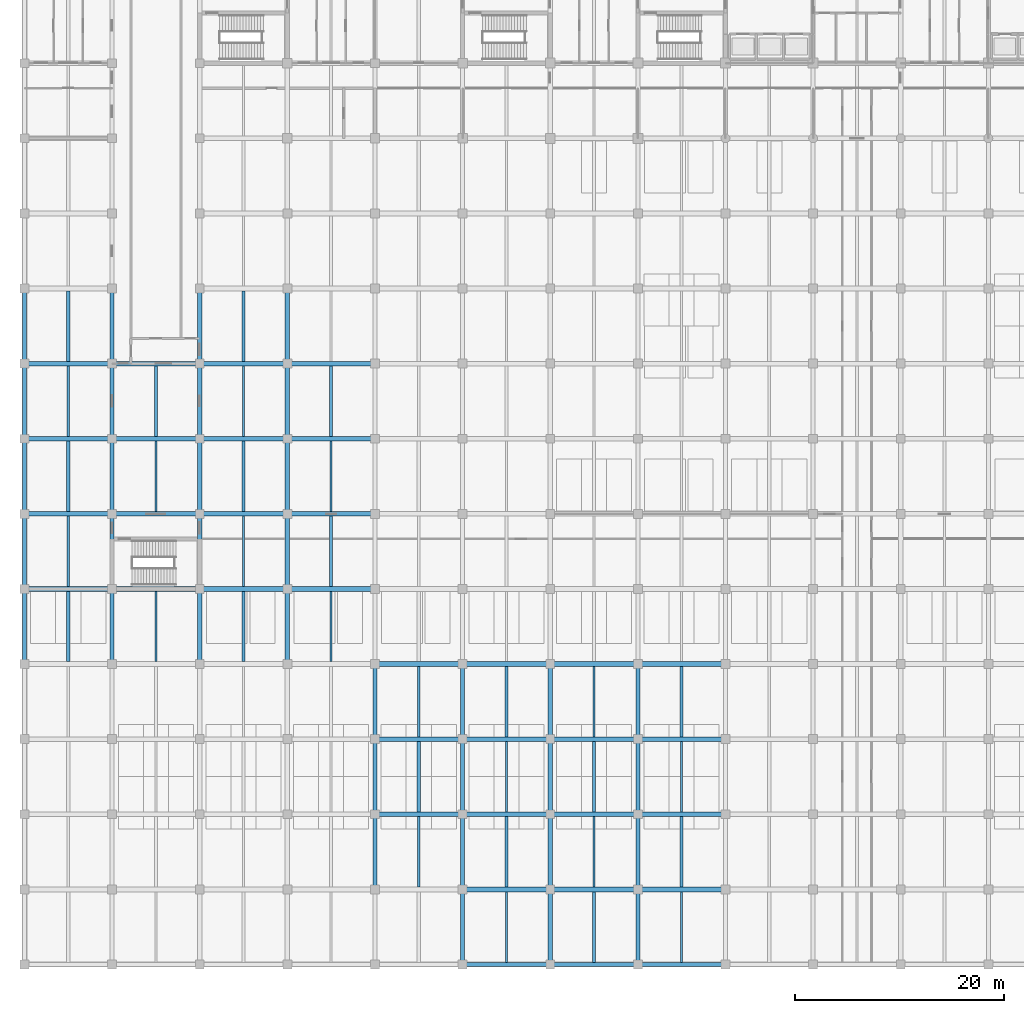
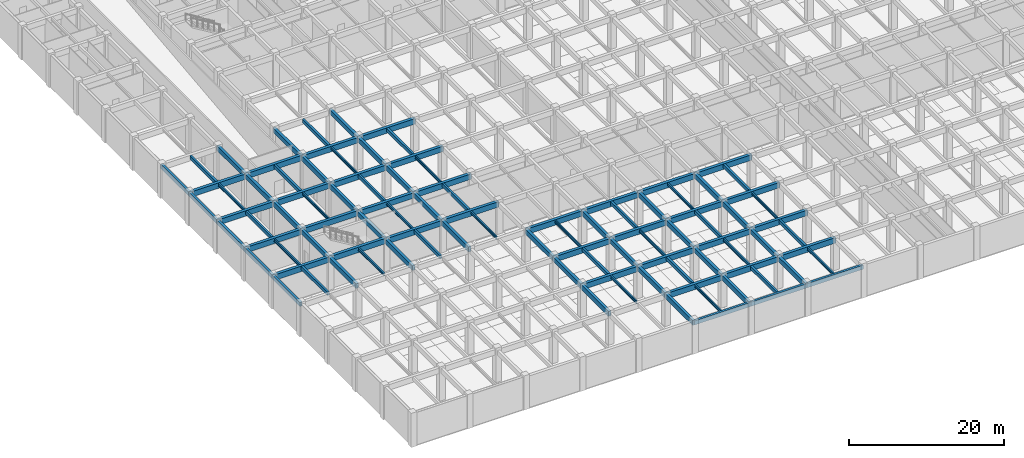
# One storey, part 3 of 48: 101 beams.
"""IFC4 building model written with IfcOpenShell, lengths in metres."""

from ifc_helpers import new_model, si_unit, direction, frame, origin, origin_2d, place, context, subcontext, project, spatial, rectangle, i_section, extrude, material, material_profile, profile_set, type_object, element, save


model = new_model("IFC4")

# Units and contexts
model_context = context("Model", 3, precision=1e-05, world=origin(), true_north=direction((0.0, 1.0)))
body_context = subcontext(model_context, "Body", "Model", "MODEL_VIEW")
ifc_project = project(units=[si_unit("LENGTHUNIT", "METRE"), si_unit("AREAUNIT", "SQUARE_METRE"), si_unit("VOLUMEUNIT", "CUBIC_METRE"), si_unit("PLANEANGLEUNIT", "RADIAN"), si_unit("MASSUNIT", "GRAM", prefix="KILO")], contexts=[model_context])

# Site, building, storey
site_placement = place(None, origin())
site = spatial("IfcSite", under=ifc_project, at=site_placement, CompositionType="ELEMENT")
building_placement = place(site_placement, origin())
building = spatial("IfcBuilding", under=site, at=building_placement, Name="Chengyuan Square Courthouse", CompositionType="ELEMENT")
storey_placement = place(building_placement, frame((0.0, 0.0, -5.39990234375)))
storey = spatial("IfcBuildingStorey", under=building, at=storey_placement, Name="B01", CompositionType="ELEMENT", Elevation=-5.39990234375)

# Beams
ifc_material_1 = material(Name="Concrete C40", Category="concrete")
ifc_material_profile_1 = material_profile(ifc_material_1, rectangle(XDim=0.449951171875, YDim=0.85009765625, at=origin_2d()), Name="RC-BM-450x850")
ifc_profile_set_1 = profile_set([ifc_material_profile_1], Name="Concrete C40")
beam_type_1 = type_object("IfcBeamType", Name="BM-01", PredefinedType="USERDEFINED", material=ifc_profile_set_1)
beam_1_placement = place(storey_placement, frame((42.0, 7.199951171875, 4.554931640625), z_axis=(1.0, 0.0, 0.0), x_axis=(0.0, 1.0, 0.0)))
element("IfcBeam", 1, at=beam_1_placement, inside=storey, type_object=beam_type_1, Name="Girder BM-B01-0697", ObjectType="GIRDER", PredefinedType="USERDEFINED", context=body_context, shape_type="SweptSolid", body=[
    extrude(rectangle(XDim=0.449951171875, YDim=0.85009765625, at=origin_2d()), origin(), (0.0, 0.0, 1.0), 8.39990234375),
])
beam_2_placement = place(storey_placement, frame((50.39990234375, 7.199951171875, 4.554931640625), z_axis=(1.0, 0.0, 0.0), x_axis=(0.0, 1.0, 0.0)))
element("IfcBeam", 2, at=beam_2_placement, inside=storey, type_object=beam_type_1, Name="Girder BM-B01-0698", ObjectType="GIRDER", PredefinedType="USERDEFINED", context=body_context, shape_type="SweptSolid", body=[
    extrude(rectangle(XDim=0.449951171875, YDim=0.85009765625, at=origin_2d()), origin(), (0.0, 0.0, 1.0), 8.400146484375),
])
for number, where, z_axis, x_axis, name in (
    (3, (58.800048828125, 7.199951171875, 4.554931640625), (1.0, 0.0, 0.0), (0.0, 1.0, 0.0), "Girder BM-B01-0699"),
    (4, (33.60009765625, 14.39990234375, 4.554931640625), (1.0, 0.0, 0.0), (0.0, 1.0, 0.0), "Girder BM-B01-0716"),
    (5, (42.0, 14.39990234375, 4.554931640625), (1.0, 0.0, 0.0), (0.0, 1.0, 0.0), "Girder BM-B01-0717"),
):
    element("IfcBeam", number, at=place(storey_placement, frame(where, z_axis=z_axis, x_axis=x_axis)), inside=storey, type_object=beam_type_1, Name=name, ObjectType="GIRDER", PredefinedType="USERDEFINED", context=body_context, shape_type="SweptSolid", body=[
        extrude(rectangle(XDim=0.449951171875, YDim=0.85009765625, at=origin_2d()), origin(), (0.0, 0.0, 1.0), 8.39990234375),
    ])
beam_3_placement = place(storey_placement, frame((50.39990234375, 14.39990234375, 4.554931640625), z_axis=(1.0, 0.0, 0.0), x_axis=(0.0, 1.0, 0.0)))
element("IfcBeam", 6, at=beam_3_placement, inside=storey, type_object=beam_type_1, Name="Girder BM-B01-0718", ObjectType="GIRDER", PredefinedType="USERDEFINED", context=body_context, shape_type="SweptSolid", body=[
    extrude(rectangle(XDim=0.449951171875, YDim=0.85009765625, at=origin_2d()), origin(), (0.0, 0.0, 1.0), 8.400146484375),
])
for number, where, z_axis, x_axis, name in (
    (7, (58.800048828125, 14.39990234375, 4.554931640625), (1.0, 0.0, 0.0), (0.0, 1.0, 0.0), "Girder BM-B01-0719"),
    (8, (33.60009765625, 21.60009765625, 4.554931640625), (1.0, 0.0, 0.0), (0.0, 1.0, 0.0), "Girder BM-B01-0736"),
    (9, (42.0, 21.60009765625, 4.554931640625), (1.0, 0.0, 0.0), (0.0, 1.0, 0.0), "Girder BM-B01-0737"),
):
    element("IfcBeam", number, at=place(storey_placement, frame(where, z_axis=z_axis, x_axis=x_axis)), inside=storey, type_object=beam_type_1, Name=name, ObjectType="GIRDER", PredefinedType="USERDEFINED", context=body_context, shape_type="SweptSolid", body=[
        extrude(rectangle(XDim=0.449951171875, YDim=0.85009765625, at=origin_2d()), origin(), (0.0, 0.0, 1.0), 8.39990234375),
    ])
beam_4_placement = place(storey_placement, frame((50.39990234375, 21.60009765625, 4.554931640625), z_axis=(1.0, 0.0, 0.0), x_axis=(0.0, 1.0, 0.0)))
element("IfcBeam", 10, at=beam_4_placement, inside=storey, type_object=beam_type_1, Name="Girder BM-B01-0738", ObjectType="GIRDER", PredefinedType="USERDEFINED", context=body_context, shape_type="SweptSolid", body=[
    extrude(rectangle(XDim=0.449951171875, YDim=0.85009765625, at=origin_2d()), origin(), (0.0, 0.0, 1.0), 8.400146484375),
])
for number, where, z_axis, x_axis, name in (
    (11, (58.800048828125, 21.60009765625, 4.554931640625), (1.0, 0.0, 0.0), (0.0, 1.0, 0.0), "Girder BM-B01-0739"),
    (12, (33.60009765625, 28.800048828125, 4.554931640625), (1.0, 0.0, 0.0), (0.0, 1.0, 0.0), "Girder BM-B01-0756"),
    (13, (42.0, 28.800048828125, 4.554931640625), (1.0, 0.0, 0.0), (0.0, 1.0, 0.0), "Girder BM-B01-0757"),
):
    element("IfcBeam", number, at=place(storey_placement, frame(where, z_axis=z_axis, x_axis=x_axis)), inside=storey, type_object=beam_type_1, Name=name, ObjectType="GIRDER", PredefinedType="USERDEFINED", context=body_context, shape_type="SweptSolid", body=[
        extrude(rectangle(XDim=0.449951171875, YDim=0.85009765625, at=origin_2d()), origin(), (0.0, 0.0, 1.0), 8.39990234375),
    ])
beam_5_placement = place(storey_placement, frame((50.39990234375, 28.800048828125, 4.554931640625), z_axis=(1.0, 0.0, 0.0), x_axis=(0.0, 1.0, 0.0)))
element("IfcBeam", 14, at=beam_5_placement, inside=storey, type_object=beam_type_1, Name="Girder BM-B01-0758", ObjectType="GIRDER", PredefinedType="USERDEFINED", context=body_context, shape_type="SweptSolid", body=[
    extrude(rectangle(XDim=0.449951171875, YDim=0.85009765625, at=origin_2d()), origin(), (0.0, 0.0, 1.0), 8.400146484375),
])
for number, where, z_axis, x_axis, name in (
    (15, (58.800048828125, 28.800048828125, 4.554931640625), (1.0, 0.0, 0.0), (0.0, 1.0, 0.0), "Girder BM-B01-0759"),
    (16, (0.0, 36.0, 4.6748046875), (1.0, 0.0, 0.0), (0.0, 1.0, 0.0), "Girder BM-B01-0772"),
):
    element("IfcBeam", number, at=place(storey_placement, frame(where, z_axis=z_axis, x_axis=x_axis)), inside=storey, type_object=beam_type_1, Name=name, ObjectType="GIRDER", PredefinedType="USERDEFINED", context=body_context, shape_type="SweptSolid", body=[
        extrude(rectangle(XDim=0.449951171875, YDim=0.85009765625, at=origin_2d()), origin(), (0.0, 0.0, 1.0), 8.39990234375),
    ])
beam_6_placement = place(storey_placement, frame((8.39990234375, 36.0, 4.6748046875), z_axis=(1.0, 0.0, 0.0), x_axis=(0.0, 1.0, 0.0)))
element("IfcBeam", 17, at=beam_6_placement, inside=storey, type_object=beam_type_1, Name="Girder BM-B01-0773", ObjectType="GIRDER", PredefinedType="USERDEFINED", context=body_context, shape_type="SweptSolid", body=[
    extrude(rectangle(XDim=0.449951171875, YDim=0.85009765625, at=origin_2d()), origin(), (0.0, 0.0, 1.0), 8.400146484375),
])
beam_7_placement = place(storey_placement, frame((16.800048828125, 36.0, 4.554931640625), z_axis=(1.0, 0.0, 0.0), x_axis=(0.0, 1.0, 0.0)))
element("IfcBeam", 18, at=beam_7_placement, inside=storey, type_object=beam_type_1, Name="Girder BM-B01-0774", ObjectType="GIRDER", PredefinedType="USERDEFINED", context=body_context, shape_type="SweptSolid", body=[
    extrude(rectangle(XDim=0.449951171875, YDim=0.85009765625, at=origin_2d()), origin(), (0.0, 0.0, 1.0), 8.39990234375),
])
beam_8_placement = place(storey_placement, frame((25.199951171875, 36.0, 4.554931640625), z_axis=(1.0, 0.0, 0.0), x_axis=(0.0, 1.0, 0.0)))
element("IfcBeam", 19, at=beam_8_placement, inside=storey, type_object=beam_type_1, Name="Girder BM-B01-0775", ObjectType="GIRDER", PredefinedType="USERDEFINED", context=body_context, shape_type="SweptSolid", body=[
    extrude(rectangle(XDim=0.449951171875, YDim=0.85009765625, at=origin_2d()), origin(), (0.0, 0.0, 1.0), 8.400146484375),
])
beam_9_placement = place(storey_placement, frame((0.0, 43.199951171875, 4.6748046875), z_axis=(1.0, 0.0, 0.0), x_axis=(0.0, 1.0, 0.0)))
element("IfcBeam", 20, at=beam_9_placement, inside=storey, type_object=beam_type_1, Name="Girder BM-B01-0792", ObjectType="GIRDER", PredefinedType="USERDEFINED", context=body_context, shape_type="SweptSolid", body=[
    extrude(rectangle(XDim=0.449951171875, YDim=0.85009765625, at=origin_2d()), origin(), (0.0, 0.0, 1.0), 8.39990234375),
])
beam_10_placement = place(storey_placement, frame((8.39990234375, 43.199951171875, 4.6748046875), z_axis=(1.0, 0.0, 0.0), x_axis=(0.0, 1.0, 0.0)))
element("IfcBeam", 21, at=beam_10_placement, inside=storey, type_object=beam_type_1, Name="Girder BM-B01-0793", ObjectType="GIRDER", PredefinedType="USERDEFINED", context=body_context, shape_type="SweptSolid", body=[
    extrude(rectangle(XDim=0.449951171875, YDim=0.85009765625, at=origin_2d()), origin(), (0.0, 0.0, 1.0), 8.400146484375),
])
beam_11_placement = place(storey_placement, frame((16.800048828125, 43.199951171875, 4.554931640625), z_axis=(1.0, 0.0, 0.0), x_axis=(0.0, 1.0, 0.0)))
element("IfcBeam", 22, at=beam_11_placement, inside=storey, type_object=beam_type_1, Name="Girder BM-B01-0794", ObjectType="GIRDER", PredefinedType="USERDEFINED", context=body_context, shape_type="SweptSolid", body=[
    extrude(rectangle(XDim=0.449951171875, YDim=0.85009765625, at=origin_2d()), origin(), (0.0, 0.0, 1.0), 8.39990234375),
])
beam_12_placement = place(storey_placement, frame((25.199951171875, 43.199951171875, 4.554931640625), z_axis=(1.0, 0.0, 0.0), x_axis=(0.0, 1.0, 0.0)))
element("IfcBeam", 23, at=beam_12_placement, inside=storey, type_object=beam_type_1, Name="Girder BM-B01-0795", ObjectType="GIRDER", PredefinedType="USERDEFINED", context=body_context, shape_type="SweptSolid", body=[
    extrude(rectangle(XDim=0.449951171875, YDim=0.85009765625, at=origin_2d()), origin(), (0.0, 0.0, 1.0), 8.400146484375),
])
beam_13_placement = place(storey_placement, frame((0.0, 50.39990234375, 4.6748046875), z_axis=(1.0, 0.0, 0.0), x_axis=(0.0, 1.0, 0.0)))
element("IfcBeam", 24, at=beam_13_placement, inside=storey, type_object=beam_type_1, Name="Girder BM-B01-0812", ObjectType="GIRDER", PredefinedType="USERDEFINED", context=body_context, shape_type="SweptSolid", body=[
    extrude(rectangle(XDim=0.449951171875, YDim=0.85009765625, at=origin_2d()), origin(), (0.0, 0.0, 1.0), 8.39990234375),
])
beam_14_placement = place(storey_placement, frame((8.39990234375, 50.39990234375, 4.6748046875), z_axis=(1.0, 0.0, 0.0), x_axis=(0.0, 1.0, 0.0)))
element("IfcBeam", 25, at=beam_14_placement, inside=storey, type_object=beam_type_1, Name="Girder BM-B01-0813", ObjectType="GIRDER", PredefinedType="USERDEFINED", context=body_context, shape_type="SweptSolid", body=[
    extrude(rectangle(XDim=0.449951171875, YDim=0.85009765625, at=origin_2d()), origin(), (0.0, 0.0, 1.0), 8.400146484375),
])
beam_15_placement = place(storey_placement, frame((16.800048828125, 50.39990234375, 4.554931640625), z_axis=(1.0, 0.0, 0.0), x_axis=(0.0, 1.0, 0.0)))
element("IfcBeam", 26, at=beam_15_placement, inside=storey, type_object=beam_type_1, Name="Girder BM-B01-0814", ObjectType="GIRDER", PredefinedType="USERDEFINED", context=body_context, shape_type="SweptSolid", body=[
    extrude(rectangle(XDim=0.449951171875, YDim=0.85009765625, at=origin_2d()), origin(), (0.0, 0.0, 1.0), 8.39990234375),
])
beam_16_placement = place(storey_placement, frame((25.199951171875, 50.39990234375, 4.554931640625), z_axis=(1.0, 0.0, 0.0), x_axis=(0.0, 1.0, 0.0)))
element("IfcBeam", 27, at=beam_16_placement, inside=storey, type_object=beam_type_1, Name="Girder BM-B01-0815", ObjectType="GIRDER", PredefinedType="USERDEFINED", context=body_context, shape_type="SweptSolid", body=[
    extrude(rectangle(XDim=0.449951171875, YDim=0.85009765625, at=origin_2d()), origin(), (0.0, 0.0, 1.0), 8.400146484375),
])
beam_17_placement = place(storey_placement, frame((0.0, 57.60009765625, 4.6748046875), z_axis=(1.0, 0.0, 0.0), x_axis=(0.0, 1.0, 0.0)))
element("IfcBeam", 28, at=beam_17_placement, inside=storey, type_object=beam_type_1, Name="Girder BM-B01-0832", ObjectType="GIRDER", PredefinedType="USERDEFINED", context=body_context, shape_type="SweptSolid", body=[
    extrude(rectangle(XDim=0.449951171875, YDim=0.85009765625, at=origin_2d()), origin(), (0.0, 0.0, 1.0), 8.39990234375),
])
beam_18_placement = place(storey_placement, frame((8.39990234375, 57.60009765625, 4.6748046875), z_axis=(1.0, 0.0, 0.0), x_axis=(0.0, 1.0, 0.0)))
element("IfcBeam", 29, at=beam_18_placement, inside=storey, type_object=beam_type_1, Name="Girder BM-B01-0833", ObjectType="GIRDER", PredefinedType="USERDEFINED", context=body_context, shape_type="SweptSolid", body=[
    extrude(rectangle(XDim=0.449951171875, YDim=0.85009765625, at=origin_2d()), origin(), (0.0, 0.0, 1.0), 8.400146484375),
])
beam_19_placement = place(storey_placement, frame((16.800048828125, 57.60009765625, 4.554931640625), z_axis=(1.0, 0.0, 0.0), x_axis=(0.0, 1.0, 0.0)))
element("IfcBeam", 30, at=beam_19_placement, inside=storey, type_object=beam_type_1, Name="Girder BM-B01-0834", ObjectType="GIRDER", PredefinedType="USERDEFINED", context=body_context, shape_type="SweptSolid", body=[
    extrude(rectangle(XDim=0.449951171875, YDim=0.85009765625, at=origin_2d()), origin(), (0.0, 0.0, 1.0), 8.39990234375),
])
beam_20_placement = place(storey_placement, frame((25.199951171875, 57.60009765625, 4.554931640625), z_axis=(1.0, 0.0, 0.0), x_axis=(0.0, 1.0, 0.0)))
element("IfcBeam", 31, at=beam_20_placement, inside=storey, type_object=beam_type_1, Name="Girder BM-B01-0835", ObjectType="GIRDER", PredefinedType="USERDEFINED", context=body_context, shape_type="SweptSolid", body=[
    extrude(rectangle(XDim=0.449951171875, YDim=0.85009765625, at=origin_2d()), origin(), (0.0, 0.0, 1.0), 8.400146484375),
])
ifc_material_profile_2 = material_profile(ifc_material_1, rectangle(XDim=0.39990234375, YDim=0.75, at=origin_2d()), Name="RC-BM-400x750")
ifc_profile_set_2 = profile_set([ifc_material_profile_2], Name="Concrete C40")
beam_type_2 = type_object("IfcBeamType", Name="BM-02", PredefinedType="USERDEFINED", material=ifc_profile_set_2)
for number, where, z_axis, x_axis, name in (
    (32, (8.39990234375, 28.800048828125, 4.724853515625), (0.0, 1.0, 0.0), (-1.0, 0.0, 0.0), "Girder BM-B01-1026"),
    (33, (8.39990234375, 36.0, 4.724853515625), (0.0, 1.0, 0.0), (-1.0, 0.0, 0.0), "Girder BM-B01-1027"),
    (34, (8.39990234375, 43.199951171875, 4.724853515625), (0.0, 1.0, 0.0), (-1.0, 0.0, 0.0), "Girder BM-B01-1028"),
):
    element("IfcBeam", number, at=place(storey_placement, frame(where, z_axis=z_axis, x_axis=x_axis)), inside=storey, type_object=beam_type_2, Name=name, ObjectType="GIRDER", PredefinedType="USERDEFINED", context=body_context, shape_type="SweptSolid", body=[
        extrude(rectangle(XDim=0.39990234375, YDim=0.75, at=origin_2d()), origin(), (0.0, 0.0, 1.0), 7.199951171875),
    ])
beam_21_placement = place(storey_placement, frame((8.39990234375, 50.39990234375, 4.724853515625), z_axis=(0.0, 1.0, 0.0), x_axis=(-1.0, 0.0, 0.0)))
element("IfcBeam", 35, at=beam_21_placement, inside=storey, type_object=beam_type_2, Name="Girder BM-B01-1029", ObjectType="GIRDER", PredefinedType="USERDEFINED", context=body_context, shape_type="SweptSolid", body=[
    extrude(rectangle(XDim=0.39990234375, YDim=0.75, at=origin_2d()), origin(), (0.0, 0.0, 1.0), 7.2001953125),
])
for number, where, z_axis, x_axis, name in (
    (36, (8.39990234375, 57.60009765625, 4.724853515625), (0.0, 1.0, 0.0), (-1.0, 0.0, 0.0), "Girder BM-B01-1030"),
    (37, (16.800048828125, 28.800048828125, 4.60498046875), (0.0, 1.0, 0.0), (-1.0, 0.0, 0.0), "Girder BM-B01-1042"),
    (38, (16.800048828125, 36.0, 4.60498046875), (0.0, 1.0, 0.0), (-1.0, 0.0, 0.0), "Girder BM-B01-1043"),
    (39, (16.800048828125, 43.199951171875, 4.60498046875), (0.0, 1.0, 0.0), (-1.0, 0.0, 0.0), "Girder BM-B01-1044"),
):
    element("IfcBeam", number, at=place(storey_placement, frame(where, z_axis=z_axis, x_axis=x_axis)), inside=storey, type_object=beam_type_2, Name=name, ObjectType="GIRDER", PredefinedType="USERDEFINED", context=body_context, shape_type="SweptSolid", body=[
        extrude(rectangle(XDim=0.39990234375, YDim=0.75, at=origin_2d()), origin(), (0.0, 0.0, 1.0), 7.199951171875),
    ])
beam_22_placement = place(storey_placement, frame((16.800048828125, 50.39990234375, 4.60498046875), z_axis=(0.0, 1.0, 0.0), x_axis=(-1.0, 0.0, 0.0)))
element("IfcBeam", 40, at=beam_22_placement, inside=storey, type_object=beam_type_2, Name="Girder BM-B01-1045", ObjectType="GIRDER", PredefinedType="USERDEFINED", context=body_context, shape_type="SweptSolid", body=[
    extrude(rectangle(XDim=0.39990234375, YDim=0.75, at=origin_2d()), origin(), (0.0, 0.0, 1.0), 7.2001953125),
])
for number, where, z_axis, x_axis, name in (
    (41, (16.800048828125, 57.60009765625, 4.60498046875), (0.0, 1.0, 0.0), (-1.0, 0.0, 0.0), "Girder BM-B01-1046"),
    (42, (25.199951171875, 28.800048828125, 4.60498046875), (0.0, 1.0, 0.0), (-1.0, 0.0, 0.0), "Girder BM-B01-1058"),
    (43, (25.199951171875, 36.0, 4.60498046875), (0.0, 1.0, 0.0), (-1.0, 0.0, 0.0), "Girder BM-B01-1059"),
    (44, (25.199951171875, 43.199951171875, 4.60498046875), (0.0, 1.0, 0.0), (-1.0, 0.0, 0.0), "Girder BM-B01-1060"),
):
    element("IfcBeam", number, at=place(storey_placement, frame(where, z_axis=z_axis, x_axis=x_axis)), inside=storey, type_object=beam_type_2, Name=name, ObjectType="GIRDER", PredefinedType="USERDEFINED", context=body_context, shape_type="SweptSolid", body=[
        extrude(rectangle(XDim=0.39990234375, YDim=0.75, at=origin_2d()), origin(), (0.0, 0.0, 1.0), 7.199951171875),
    ])
beam_23_placement = place(storey_placement, frame((25.199951171875, 50.39990234375, 4.60498046875), z_axis=(0.0, 1.0, 0.0), x_axis=(-1.0, 0.0, 0.0)))
element("IfcBeam", 45, at=beam_23_placement, inside=storey, type_object=beam_type_2, Name="Girder BM-B01-1061", ObjectType="GIRDER", PredefinedType="USERDEFINED", context=body_context, shape_type="SweptSolid", body=[
    extrude(rectangle(XDim=0.39990234375, YDim=0.75, at=origin_2d()), origin(), (0.0, 0.0, 1.0), 7.2001953125),
])
for number, where, z_axis, x_axis, name in (
    (46, (25.199951171875, 57.60009765625, 4.60498046875), (0.0, 1.0, 0.0), (-1.0, 0.0, 0.0), "Girder BM-B01-1062"),
    (47, (33.60009765625, 7.199951171875, 4.60498046875), (0.0, 1.0, 0.0), (-1.0, 0.0, 0.0), "Girder BM-B01-1071"),
):
    element("IfcBeam", number, at=place(storey_placement, frame(where, z_axis=z_axis, x_axis=x_axis)), inside=storey, type_object=beam_type_2, Name=name, ObjectType="GIRDER", PredefinedType="USERDEFINED", context=body_context, shape_type="SweptSolid", body=[
        extrude(rectangle(XDim=0.39990234375, YDim=0.75, at=origin_2d()), origin(), (0.0, 0.0, 1.0), 7.199951171875),
    ])
beam_24_placement = place(storey_placement, frame((33.60009765625, 14.39990234375, 4.60498046875), z_axis=(0.0, 1.0, 0.0), x_axis=(-1.0, 0.0, 0.0)))
element("IfcBeam", 48, at=beam_24_placement, inside=storey, type_object=beam_type_2, Name="Girder BM-B01-1072", ObjectType="GIRDER", PredefinedType="USERDEFINED", context=body_context, shape_type="SweptSolid", body=[
    extrude(rectangle(XDim=0.39990234375, YDim=0.75, at=origin_2d()), origin(), (0.0, 0.0, 1.0), 7.2001953125),
])
for number, where, z_axis, x_axis, name in (
    (49, (33.60009765625, 21.60009765625, 4.60498046875), (0.0, 1.0, 0.0), (-1.0, 0.0, 0.0), "Girder BM-B01-1073"),
    (50, (42.0, 0.0, 4.60498046875), (0.0, 1.0, 0.0), (-1.0, 0.0, 0.0), "Girder BM-B01-1086"),
    (51, (42.0, 7.199951171875, 4.60498046875), (0.0, 1.0, 0.0), (-1.0, 0.0, 0.0), "Girder BM-B01-1087"),
):
    element("IfcBeam", number, at=place(storey_placement, frame(where, z_axis=z_axis, x_axis=x_axis)), inside=storey, type_object=beam_type_2, Name=name, ObjectType="GIRDER", PredefinedType="USERDEFINED", context=body_context, shape_type="SweptSolid", body=[
        extrude(rectangle(XDim=0.39990234375, YDim=0.75, at=origin_2d()), origin(), (0.0, 0.0, 1.0), 7.199951171875),
    ])
beam_25_placement = place(storey_placement, frame((42.0, 14.39990234375, 4.60498046875), z_axis=(0.0, 1.0, 0.0), x_axis=(-1.0, 0.0, 0.0)))
element("IfcBeam", 52, at=beam_25_placement, inside=storey, type_object=beam_type_2, Name="Girder BM-B01-1088", ObjectType="GIRDER", PredefinedType="USERDEFINED", context=body_context, shape_type="SweptSolid", body=[
    extrude(rectangle(XDim=0.39990234375, YDim=0.75, at=origin_2d()), origin(), (0.0, 0.0, 1.0), 7.2001953125),
])
for number, where, z_axis, x_axis, name in (
    (53, (42.0, 21.60009765625, 4.60498046875), (0.0, 1.0, 0.0), (-1.0, 0.0, 0.0), "Girder BM-B01-1089"),
    (54, (50.39990234375, 0.0, 4.60498046875), (0.0, 1.0, 0.0), (-1.0, 0.0, 0.0), "Girder BM-B01-1102"),
    (55, (50.39990234375, 7.199951171875, 4.60498046875), (0.0, 1.0, 0.0), (-1.0, 0.0, 0.0), "Girder BM-B01-1103"),
):
    element("IfcBeam", number, at=place(storey_placement, frame(where, z_axis=z_axis, x_axis=x_axis)), inside=storey, type_object=beam_type_2, Name=name, ObjectType="GIRDER", PredefinedType="USERDEFINED", context=body_context, shape_type="SweptSolid", body=[
        extrude(rectangle(XDim=0.39990234375, YDim=0.75, at=origin_2d()), origin(), (0.0, 0.0, 1.0), 7.199951171875),
    ])
beam_26_placement = place(storey_placement, frame((50.39990234375, 14.39990234375, 4.60498046875), z_axis=(0.0, 1.0, 0.0), x_axis=(-1.0, 0.0, 0.0)))
element("IfcBeam", 56, at=beam_26_placement, inside=storey, type_object=beam_type_2, Name="Girder BM-B01-1104", ObjectType="GIRDER", PredefinedType="USERDEFINED", context=body_context, shape_type="SweptSolid", body=[
    extrude(rectangle(XDim=0.39990234375, YDim=0.75, at=origin_2d()), origin(), (0.0, 0.0, 1.0), 7.2001953125),
])
for number, where, z_axis, x_axis, name in (
    (57, (50.39990234375, 21.60009765625, 4.60498046875), (0.0, 1.0, 0.0), (-1.0, 0.0, 0.0), "Girder BM-B01-1105"),
    (58, (58.800048828125, 0.0, 4.60498046875), (0.0, 1.0, 0.0), (-1.0, 0.0, 0.0), "Girder BM-B01-1118"),
    (59, (58.800048828125, 7.199951171875, 4.60498046875), (0.0, 1.0, 0.0), (-1.0, 0.0, 0.0), "Girder BM-B01-1119"),
):
    element("IfcBeam", number, at=place(storey_placement, frame(where, z_axis=z_axis, x_axis=x_axis)), inside=storey, type_object=beam_type_2, Name=name, ObjectType="GIRDER", PredefinedType="USERDEFINED", context=body_context, shape_type="SweptSolid", body=[
        extrude(rectangle(XDim=0.39990234375, YDim=0.75, at=origin_2d()), origin(), (0.0, 0.0, 1.0), 7.199951171875),
    ])
beam_27_placement = place(storey_placement, frame((58.800048828125, 14.39990234375, 4.60498046875), z_axis=(0.0, 1.0, 0.0), x_axis=(-1.0, 0.0, 0.0)))
element("IfcBeam", 60, at=beam_27_placement, inside=storey, type_object=beam_type_2, Name="Girder BM-B01-1120", ObjectType="GIRDER", PredefinedType="USERDEFINED", context=body_context, shape_type="SweptSolid", body=[
    extrude(rectangle(XDim=0.39990234375, YDim=0.75, at=origin_2d()), origin(), (0.0, 0.0, 1.0), 7.2001953125),
])
beam_28_placement = place(storey_placement, frame((58.800048828125, 21.60009765625, 4.60498046875), z_axis=(0.0, 1.0, 0.0), x_axis=(-1.0, 0.0, 0.0)))
element("IfcBeam", 61, at=beam_28_placement, inside=storey, type_object=beam_type_2, Name="Girder BM-B01-1121", ObjectType="GIRDER", PredefinedType="USERDEFINED", context=body_context, shape_type="SweptSolid", body=[
    extrude(rectangle(XDim=0.39990234375, YDim=0.75, at=origin_2d()), origin(), (0.0, 0.0, 1.0), 7.199951171875),
])
ifc_material_profile_3 = material_profile(ifc_material_1, rectangle(XDim=0.35009765625, YDim=0.64990234375, at=origin_2d()), Name="RC-BM-350x650")
ifc_profile_set_3 = profile_set([ifc_material_profile_3], Name="Concrete C40")
beam_type_3 = type_object("IfcBeamType", Name="BM-03", PredefinedType="SPANDREL", material=ifc_profile_set_3)
beam_29_placement = place(storey_placement, frame((42.0, 0.0, 4.65478515625), z_axis=(1.0, 0.0, 0.0), x_axis=(0.0, 1.0, 0.0)))
element("IfcBeam", 62, at=beam_29_placement, inside=storey, type_object=beam_type_3, Name="Girder BM-B01-0677", PredefinedType="SPANDREL", context=body_context, shape_type="SweptSolid", body=[
    extrude(rectangle(XDim=0.35009765625, YDim=0.64990234375, at=origin_2d()), origin(), (0.0, 0.0, 1.0), 8.39990234375),
])
beam_30_placement = place(storey_placement, frame((50.39990234375, 0.0, 4.65478515625), z_axis=(1.0, 0.0, 0.0), x_axis=(0.0, 1.0, 0.0)))
element("IfcBeam", 63, at=beam_30_placement, inside=storey, type_object=beam_type_3, Name="Girder BM-B01-0678", PredefinedType="SPANDREL", context=body_context, shape_type="SweptSolid", body=[
    extrude(rectangle(XDim=0.35009765625, YDim=0.64990234375, at=origin_2d()), origin(), (0.0, 0.0, 1.0), 8.400146484375),
])
beam_31_placement = place(storey_placement, frame((58.800048828125, 0.0, 4.65478515625), z_axis=(1.0, 0.0, 0.0), x_axis=(0.0, 1.0, 0.0)))
element("IfcBeam", 64, at=beam_31_placement, inside=storey, type_object=beam_type_3, Name="Girder BM-B01-0679", PredefinedType="SPANDREL", context=body_context, shape_type="SweptSolid", body=[
    extrude(rectangle(XDim=0.35009765625, YDim=0.64990234375, at=origin_2d()), origin(), (0.0, 0.0, 1.0), 8.39990234375),
])
for number, where, z_axis, x_axis, name in (
    (65, (0.0, 28.800048828125, 4.77490234375), (0.0, 1.0, 0.0), (-1.0, 0.0, 0.0), "Girder BM-B01-1010"),
    (66, (0.0, 36.0, 4.77490234375), (0.0, 1.0, 0.0), (-1.0, 0.0, 0.0), "Girder BM-B01-1011"),
    (67, (0.0, 43.199951171875, 4.77490234375), (0.0, 1.0, 0.0), (-1.0, 0.0, 0.0), "Girder BM-B01-1012"),
):
    element("IfcBeam", number, at=place(storey_placement, frame(where, z_axis=z_axis, x_axis=x_axis)), inside=storey, type_object=beam_type_3, Name=name, PredefinedType="SPANDREL", context=body_context, shape_type="SweptSolid", body=[
        extrude(rectangle(XDim=0.35009765625, YDim=0.64990234375, at=origin_2d()), origin(), (0.0, 0.0, 1.0), 7.199951171875),
    ])
beam_32_placement = place(storey_placement, frame((0.0, 50.39990234375, 4.77490234375), z_axis=(0.0, 1.0, 0.0), x_axis=(-1.0, 0.0, 0.0)))
element("IfcBeam", 68, at=beam_32_placement, inside=storey, type_object=beam_type_3, Name="Girder BM-B01-1013", PredefinedType="SPANDREL", context=body_context, shape_type="SweptSolid", body=[
    extrude(rectangle(XDim=0.35009765625, YDim=0.64990234375, at=origin_2d()), origin(), (0.0, 0.0, 1.0), 7.2001953125),
])
beam_33_placement = place(storey_placement, frame((0.0, 57.60009765625, 4.77490234375), z_axis=(0.0, 1.0, 0.0), x_axis=(-1.0, 0.0, 0.0)))
element("IfcBeam", 69, at=beam_33_placement, inside=storey, type_object=beam_type_3, Name="Girder BM-B01-1014", PredefinedType="SPANDREL", context=body_context, shape_type="SweptSolid", body=[
    extrude(rectangle(XDim=0.35009765625, YDim=0.64990234375, at=origin_2d()), origin(), (0.0, 0.0, 1.0), 7.199951171875),
])
ifc_material_profile_4 = material_profile(ifc_material_1, rectangle(XDim=0.300048828125, YDim=0.550048828125, at=origin_2d()), Name="RC-BM-300x550")
ifc_profile_set_4 = profile_set([ifc_material_profile_4], Name="Concrete C40")
beam_type_4 = type_object("IfcBeamType", Name="BM-04", PredefinedType="BEAM", material=ifc_profile_set_4)
for number, where, z_axis, x_axis, name in (
    (70, (4.199951171875, 29.02490234375, 4.824951171875), (0.0, 1.0, 0.0), (-1.0, 0.0, 0.0), "Secondary Floor Beam SBM-B01-1346"),
    (71, (4.199951171875, 43.425048828125, 4.824951171875), (0.0, 1.0, 0.0), (-1.0, 0.0, 0.0), "Secondary Floor Beam SBM-B01-1348"),
    (72, (4.199951171875, 57.824951171875, 4.824951171875), (0.0, 1.0, 0.0), (-1.0, 0.0, 0.0), "Secondary Floor Beam SBM-B01-1350"),
    (73, (12.60009765625, 50.625, 4.824951171875), (0.0, 1.0, 0.0), (-1.0, 0.0, 0.0), "Secondary Floor Beam SBM-B01-1364"),
    (74, (21.0, 29.02490234375, 4.704833984375), (0.0, 1.0, 0.0), (-1.0, 0.0, 0.0), "Secondary Floor Beam SBM-B01-1370"),
    (75, (21.0, 43.425048828125, 4.704833984375), (0.0, 1.0, 0.0), (-1.0, 0.0, 0.0), "Secondary Floor Beam SBM-B01-1372"),
    (76, (21.0, 57.824951171875, 4.704833984375), (0.0, 1.0, 0.0), (-1.0, 0.0, 0.0), "Secondary Floor Beam SBM-B01-1374"),
    (77, (29.39990234375, 36.22509765625, 4.704833984375), (0.0, 1.0, 0.0), (-1.0, 0.0, 0.0), "Secondary Floor Beam SBM-B01-1386"),
    (78, (29.39990234375, 50.625, 4.704833984375), (0.0, 1.0, 0.0), (-1.0, 0.0, 0.0), "Secondary Floor Beam SBM-B01-1388"),
    (79, (37.800048828125, 14.625, 4.704833984375), (0.0, 1.0, 0.0), (-1.0, 0.0, 0.0), "Secondary Floor Beam SBM-B01-1399"),
    (80, (46.199951171875, 7.425048828125, 4.704833984375), (0.0, 1.0, 0.0), (-1.0, 0.0, 0.0), "Secondary Floor Beam SBM-B01-1414"),
    (81, (46.199951171875, 21.824951171875, 4.704833984375), (0.0, 1.0, 0.0), (-1.0, 0.0, 0.0), "Secondary Floor Beam SBM-B01-1416"),
):
    element("IfcBeam", number, at=place(storey_placement, frame(where, z_axis=z_axis, x_axis=x_axis)), inside=storey, type_object=beam_type_4, Name=name, PredefinedType="BEAM", context=body_context, shape_type="SweptSolid", body=[
        extrude(rectangle(XDim=0.300048828125, YDim=0.550048828125, at=origin_2d()), origin(), (0.0, 0.0, 1.0), 6.75),
    ])
beam_34_placement = place(storey_placement, frame((54.60009765625, 0.175048828125, 4.704833984375), z_axis=(0.0, 1.0, 0.0), x_axis=(-1.0, 0.0, 0.0)))
element("IfcBeam", 82, at=beam_34_placement, inside=storey, type_object=beam_type_4, Name="Secondary Floor Beam SBM-B01-1428", PredefinedType="BEAM", context=body_context, shape_type="SweptSolid", body=[
    extrude(rectangle(XDim=0.300048828125, YDim=0.550048828125, at=origin_2d()), origin(), (0.0, 0.0, 1.0), 6.800048828125),
])
for number, where, z_axis, x_axis, name in (
    (83, (54.60009765625, 14.625, 4.704833984375), (0.0, 1.0, 0.0), (-1.0, 0.0, 0.0), "Secondary Floor Beam SBM-B01-1430"),
    (84, (63.0, 7.425048828125, 4.704833984375), (0.0, 1.0, 0.0), (-1.0, 0.0, 0.0), "Secondary Floor Beam SBM-B01-1445"),
    (85, (63.0, 21.824951171875, 4.704833984375), (0.0, 1.0, 0.0), (-1.0, 0.0, 0.0), "Secondary Floor Beam SBM-B01-1447"),
):
    element("IfcBeam", number, at=place(storey_placement, frame(where, z_axis=z_axis, x_axis=x_axis)), inside=storey, type_object=beam_type_4, Name=name, PredefinedType="BEAM", context=body_context, shape_type="SweptSolid", body=[
        extrude(rectangle(XDim=0.300048828125, YDim=0.550048828125, at=origin_2d()), origin(), (0.0, 0.0, 1.0), 6.75),
    ])
ifc_material_2 = material(Name="Steel Q355B", Category="steel")
ifc_material_profile_5 = material_profile(ifc_material_2, i_section(OverallWidth=0.199951171875, OverallDepth=0.449951171875, WebThickness=0.009033203125, FlangeThickness=0.013916015625, at=origin_2d()), Name="HN 450x200x9x14")
ifc_profile_set_5 = profile_set([ifc_material_profile_5], Name="Steel Q355B")
beam_type_5 = type_object("IfcBeamType", Name="BM-06", PredefinedType="BEAM", material=ifc_profile_set_5)
for number, where, z_axis, x_axis, name in (
    (86, (4.199951171875, 36.22509765625, 4.875), (0.0, 1.0, 0.0), (-1.0, 0.0, 0.0), "Secondary Floor Beam SBM-B01-1347"),
    (87, (4.199951171875, 50.625, 4.875), (0.0, 1.0, 0.0), (-1.0, 0.0, 0.0), "Secondary Floor Beam SBM-B01-1349"),
    (88, (12.60009765625, 29.02490234375, 4.875), (0.0, 1.0, 0.0), (-1.0, 0.0, 0.0), "Secondary Floor Beam SBM-B01-1362"),
    (89, (12.60009765625, 43.425048828125, 4.875), (0.0, 1.0, 0.0), (-1.0, 0.0, 0.0), "Secondary Floor Beam SBM-B01-1363"),
    (90, (21.0, 36.22509765625, 4.7548828125), (0.0, 1.0, 0.0), (-1.0, 0.0, 0.0), "Secondary Floor Beam SBM-B01-1371"),
    (91, (21.0, 50.625, 4.7548828125), (0.0, 1.0, 0.0), (-1.0, 0.0, 0.0), "Secondary Floor Beam SBM-B01-1373"),
    (92, (29.39990234375, 29.02490234375, 4.7548828125), (0.0, 1.0, 0.0), (-1.0, 0.0, 0.0), "Secondary Floor Beam SBM-B01-1385"),
    (93, (29.39990234375, 43.425048828125, 4.7548828125), (0.0, 1.0, 0.0), (-1.0, 0.0, 0.0), "Secondary Floor Beam SBM-B01-1387"),
    (94, (37.800048828125, 7.425048828125, 4.7548828125), (0.0, 1.0, 0.0), (-1.0, 0.0, 0.0), "Secondary Floor Beam SBM-B01-1398"),
    (95, (37.800048828125, 21.824951171875, 4.7548828125), (0.0, 1.0, 0.0), (-1.0, 0.0, 0.0), "Secondary Floor Beam SBM-B01-1400"),
):
    element("IfcBeam", number, at=place(storey_placement, frame(where, z_axis=z_axis, x_axis=x_axis)), inside=storey, type_object=beam_type_5, Name=name, PredefinedType="BEAM", context=body_context, shape_type="SweptSolid", body=[
        extrude(i_section(OverallWidth=0.199951171875, OverallDepth=0.449951171875, WebThickness=0.009033203125, FlangeThickness=0.013916015625, at=origin_2d()), origin(), (0.0, 0.0, 1.0), 6.75),
    ])
beam_35_placement = place(storey_placement, frame((46.199951171875, 0.175048828125, 4.7548828125), z_axis=(0.0, 1.0, 0.0), x_axis=(-1.0, 0.0, 0.0)))
element("IfcBeam", 96, at=beam_35_placement, inside=storey, type_object=beam_type_5, Name="Secondary Floor Beam SBM-B01-1413", PredefinedType="BEAM", context=body_context, shape_type="SweptSolid", body=[
    extrude(i_section(OverallWidth=0.199951171875, OverallDepth=0.449951171875, WebThickness=0.009033203125, FlangeThickness=0.013916015625, at=origin_2d()), origin(), (0.0, 0.0, 1.0), 6.800048828125),
])
for number, where, z_axis, x_axis, name in (
    (97, (46.199951171875, 14.625, 4.7548828125), (0.0, 1.0, 0.0), (-1.0, 0.0, 0.0), "Secondary Floor Beam SBM-B01-1415"),
    (98, (54.60009765625, 7.425048828125, 4.7548828125), (0.0, 1.0, 0.0), (-1.0, 0.0, 0.0), "Secondary Floor Beam SBM-B01-1429"),
    (99, (54.60009765625, 21.824951171875, 4.7548828125), (0.0, 1.0, 0.0), (-1.0, 0.0, 0.0), "Secondary Floor Beam SBM-B01-1431"),
):
    element("IfcBeam", number, at=place(storey_placement, frame(where, z_axis=z_axis, x_axis=x_axis)), inside=storey, type_object=beam_type_5, Name=name, PredefinedType="BEAM", context=body_context, shape_type="SweptSolid", body=[
        extrude(i_section(OverallWidth=0.199951171875, OverallDepth=0.449951171875, WebThickness=0.009033203125, FlangeThickness=0.013916015625, at=origin_2d()), origin(), (0.0, 0.0, 1.0), 6.75),
    ])
beam_36_placement = place(storey_placement, frame((63.0, 0.175048828125, 4.7548828125), z_axis=(0.0, 1.0, 0.0), x_axis=(-1.0, 0.0, 0.0)))
element("IfcBeam", 100, at=beam_36_placement, inside=storey, type_object=beam_type_5, Name="Secondary Floor Beam SBM-B01-1444", PredefinedType="BEAM", context=body_context, shape_type="SweptSolid", body=[
    extrude(i_section(OverallWidth=0.199951171875, OverallDepth=0.449951171875, WebThickness=0.009033203125, FlangeThickness=0.013916015625, at=origin_2d()), origin(), (0.0, 0.0, 1.0), 6.800048828125),
])
beam_37_placement = place(storey_placement, frame((63.0, 14.625, 4.7548828125), z_axis=(0.0, 1.0, 0.0), x_axis=(-1.0, 0.0, 0.0)))
element("IfcBeam", 101, at=beam_37_placement, inside=storey, type_object=beam_type_5, Name="Secondary Floor Beam SBM-B01-1446", PredefinedType="BEAM", context=body_context, shape_type="SweptSolid", body=[
    extrude(i_section(OverallWidth=0.199951171875, OverallDepth=0.449951171875, WebThickness=0.009033203125, FlangeThickness=0.013916015625, at=origin_2d()), origin(), (0.0, 0.0, 1.0), 6.75),
])

save(model, "model.ifc")
